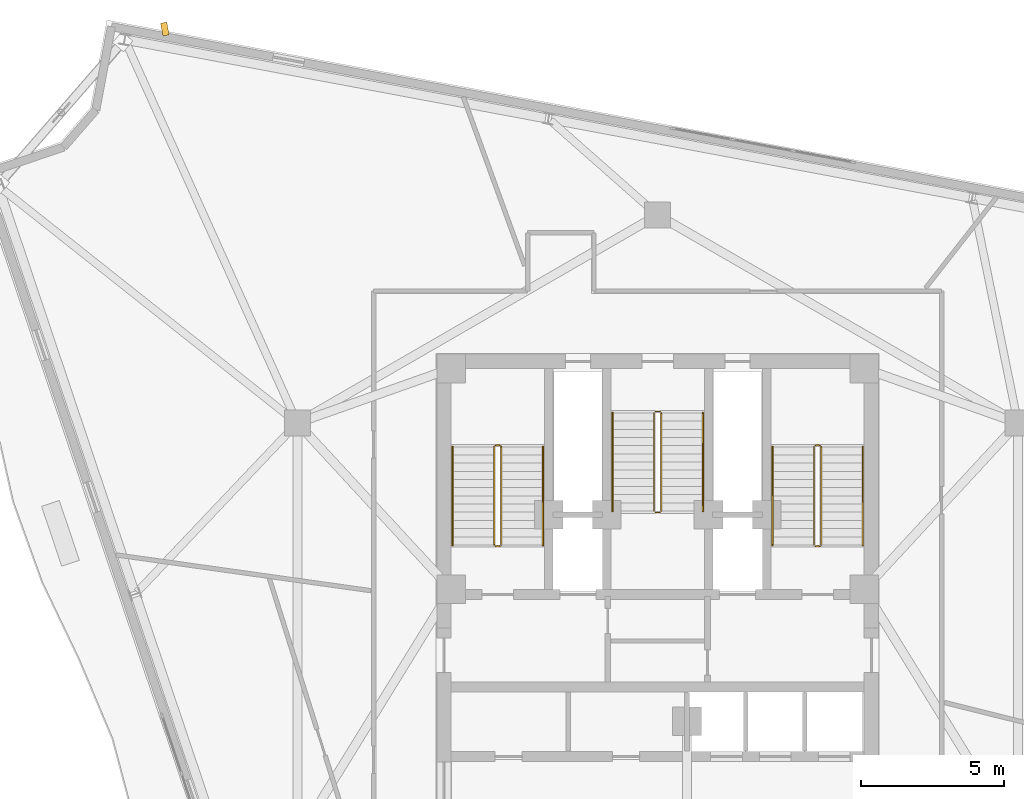
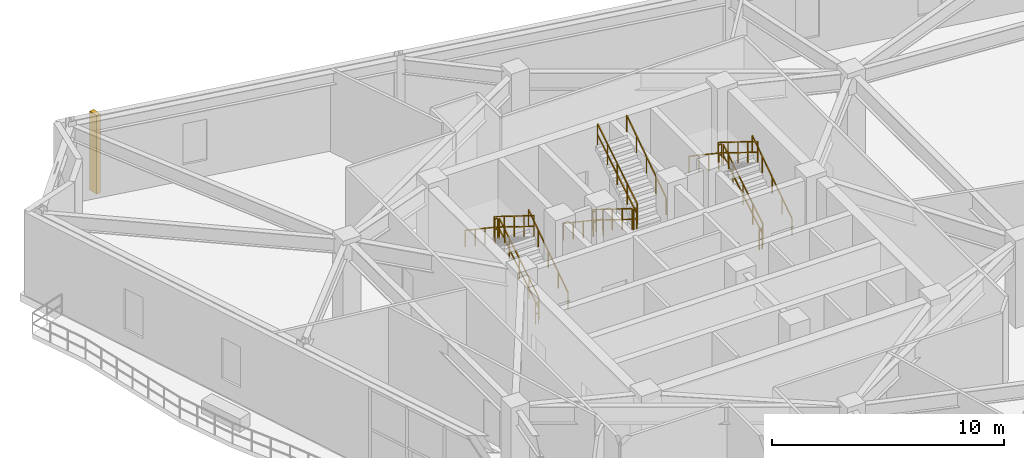
# One storey, part 14 of 15: 18 railings, 1 shading device.
"""IFC4 building model written with IfcOpenShell, lengths in metres."""

from ifc_helpers import new_model, si_unit, direction, frame, origin, origin_2d, place, context, subcontext, project, spatial, rectangle, extrude, material, type_object, element, save


model = new_model("IFC4")

# Units and contexts
model_context = context("Model", 3, precision=1e-05, world=origin(), true_north=direction((0.0, 1.0)))
body_context = subcontext(model_context, "Body", "Model", "MODEL_VIEW")
ifc_project = project(units=[si_unit("LENGTHUNIT", "METRE"), si_unit("AREAUNIT", "SQUARE_METRE"), si_unit("VOLUMEUNIT", "CUBIC_METRE"), si_unit("PLANEANGLEUNIT", "RADIAN"), si_unit("MASSUNIT", "GRAM", prefix="KILO")], contexts=[model_context])

# Site, building, storey
site_placement = place(None, origin())
site = spatial("IfcSite", under=ifc_project, at=site_placement, CompositionType="ELEMENT")
building_placement = place(site_placement, origin())
building = spatial("IfcBuilding", under=site, at=building_placement, Name="Apsidion Concourse Tower", CompositionType="ELEMENT")
storey_placement = place(building_placement, frame((0.0, 0.0, 260.89990234375)))
storey = spatial("IfcBuildingStorey", under=building, at=storey_placement, Name="L61", CompositionType="ELEMENT", Elevation=260.89990234375)

# Railings
ifc_material_1 = material(Name="Brushed stainless steel 316", Category="steel")
railing_type_1 = type_object("IfcRailingType", Name="RL-GUARD-1100", PredefinedType="GUARDRAIL", material=ifc_material_1)
railing_1_placement = place(storey_placement, frame((-5.449951171875, 3.0, 0.177001953125)))
element("IfcRailing", 1, at=railing_1_placement, inside=storey, type_object=railing_type_1, Name="L61 ST1 stair guard 1", PredefinedType="GUARDRAIL", context=body_context, shape_type="SweptSolid", body=[
    extrude(rectangle(XDim=0.048095703125, YDim=0.048095703125, at=origin_2d()), frame((0.0, 0.0, 1.09619140625), z_axis=(0.0, 0.849602680019, 0.527423251388), x_axis=(-1.0, 0.0, 0.0)), (0.0, 0.0, 1.0), 4.025390625),
    extrude(rectangle(XDim=0.048095703125, YDim=0.048095703125, at=origin_2d()), frame((0.0, 0.0, 0.5361328125), z_axis=(0.0, 0.849602680019, 0.527423251388), x_axis=(-1.0, 0.0, 0.0)), (0.0, 0.0, 1.0), 4.025390625),
    extrude(rectangle(XDim=0.0419921875, YDim=0.0419921875, at=origin_2d()), origin(), (0.0, 0.0, 1.0), 1.072021484375),
    extrude(rectangle(XDim=0.0419921875, YDim=0.0419921875, at=origin_2d()), frame((0.0, 0.85498046875, 0.53076171875)), (0.0, 0.0, 1.0), 1.072021484375),
    extrude(rectangle(XDim=0.0419921875, YDim=0.0419921875, at=origin_2d()), frame((0.0, 1.7099609375, 1.0615234375)), (0.0, 0.0, 1.0), 1.072021484375),
    extrude(rectangle(XDim=0.0419921875, YDim=0.0419921875, at=origin_2d()), frame((0.0, 2.56494140625, 1.59228515625)), (0.0, 0.0, 1.0), 1.072021484375),
    extrude(rectangle(XDim=0.0419921875, YDim=0.0419921875, at=origin_2d()), frame((0.0, 3.419921875, 2.123046875)), (0.0, 0.0, 1.0), 1.072021484375),
])
railing_2_placement = place(storey_placement, frame((-5.5, 6.469970703125, 2.300048828125)))
element("IfcRailing", 2, at=railing_2_placement, inside=storey, type_object=railing_type_1, Name="L61 ST1 stair guard 2", PredefinedType="GUARDRAIL", context=body_context, shape_type="SweptSolid", body=[
    extrude(rectangle(XDim=0.048095703125, YDim=0.048095703125, at=origin_2d()), frame((0.0, 0.0, 1.09619140625), z_axis=(-1.0, 0.0, 0.0), x_axis=(0.0, -1.0, 0.0)), (0.0, 0.0, 1.0), 0.14990234375),
    extrude(rectangle(XDim=0.048095703125, YDim=0.048095703125, at=origin_2d()), frame((0.0, 0.0, 0.5361328125), z_axis=(-1.0, 0.0, 0.0), x_axis=(0.0, -1.0, 0.0)), (0.0, 0.0, 1.0), 0.14990234375),
    extrude(rectangle(XDim=0.0419921875, YDim=0.0419921875, at=origin_2d()), origin(), (0.0, 0.0, 1.0), 1.072021484375),
    extrude(rectangle(XDim=0.0419921875, YDim=0.0419921875, at=origin_2d()), frame((-0.14990234375, 0.0, 0.0)), (0.0, 0.0, 1.0), 1.072021484375),
])
railing_3_placement = place(storey_placement, frame((-5.699951171875, 6.419921875, 2.47705078125)))
element("IfcRailing", 3, at=railing_3_placement, inside=storey, type_object=railing_type_1, Name="L61 ST1 stair guard 3", PredefinedType="GUARDRAIL", context=body_context, shape_type="SweptSolid", body=[
    extrude(rectangle(XDim=0.048095703125, YDim=0.048095703125, at=origin_2d()), frame((0.0, 0.0, 1.09619140625), z_axis=(0.0, -0.849602680019, 0.527423251388), x_axis=(1.0, 0.0, 0.0)), (0.0, 0.0, 1.0), 4.025390625),
    extrude(rectangle(XDim=0.048095703125, YDim=0.048095703125, at=origin_2d()), frame((0.0, 0.0, 0.5361328125), z_axis=(0.0, -0.849602680019, 0.527423251388), x_axis=(1.0, 0.0, 0.0)), (0.0, 0.0, 1.0), 4.025390625),
    extrude(rectangle(XDim=0.0419921875, YDim=0.0419921875, at=origin_2d()), origin(), (0.0, 0.0, 1.0), 1.072021484375),
    extrude(rectangle(XDim=0.0419921875, YDim=0.0419921875, at=origin_2d()), frame((0.0, -0.85498046875, 0.53076171875)), (0.0, 0.0, 1.0), 1.072021484375),
    extrude(rectangle(XDim=0.0419921875, YDim=0.0419921875, at=origin_2d()), frame((0.0, -1.7099609375, 1.0615234375)), (0.0, 0.0, 1.0), 1.072021484375),
    extrude(rectangle(XDim=0.0419921875, YDim=0.0419921875, at=origin_2d()), frame((0.0, -2.56494140625, 1.59228515625)), (0.0, 0.0, 1.0), 1.072021484375),
    extrude(rectangle(XDim=0.0419921875, YDim=0.0419921875, at=origin_2d()), frame((0.0, -3.419921875, 2.123046875)), (0.0, 0.0, 1.0), 1.072021484375),
])
railing_4_placement = place(storey_placement, frame((-5.5, 2.949951171875, 0.0)))
element("IfcRailing", 4, at=railing_4_placement, inside=storey, type_object=railing_type_1, Name="L61 ST1 stair guard 4", PredefinedType="GUARDRAIL", context=body_context, shape_type="SweptSolid", body=[
    extrude(rectangle(XDim=0.048095703125, YDim=0.048095703125, at=origin_2d()), frame((0.0, 0.0, 1.09619140625), z_axis=(-1.0, 0.0, 0.0), x_axis=(0.0, -1.0, 0.0)), (0.0, 0.0, 1.0), 0.14990234375),
    extrude(rectangle(XDim=0.048095703125, YDim=0.048095703125, at=origin_2d()), frame((0.0, 0.0, 0.5361328125), z_axis=(-1.0, 0.0, 0.0), x_axis=(0.0, -1.0, 0.0)), (0.0, 0.0, 1.0), 0.14990234375),
    extrude(rectangle(XDim=0.0419921875, YDim=0.0419921875, at=origin_2d()), origin(), (0.0, 0.0, 1.0), 1.072021484375),
    extrude(rectangle(XDim=0.0419921875, YDim=0.0419921875, at=origin_2d()), frame((-0.14990234375, 0.0, 0.0)), (0.0, 0.0, 1.0), 1.072021484375),
])
railing_5_placement = place(storey_placement, frame((5.699951171875, 3.0, 0.177001953125)))
element("IfcRailing", 5, at=railing_5_placement, inside=storey, type_object=railing_type_1, Name="L61 ST2 stair guard 1", PredefinedType="GUARDRAIL", context=body_context, shape_type="SweptSolid", body=[
    extrude(rectangle(XDim=0.048095703125, YDim=0.048095703125, at=origin_2d()), frame((0.0, 0.0, 1.09619140625), z_axis=(0.0, 0.849602680019, 0.527423251388), x_axis=(-1.0, 0.0, 0.0)), (0.0, 0.0, 1.0), 4.025390625),
    extrude(rectangle(XDim=0.048095703125, YDim=0.048095703125, at=origin_2d()), frame((0.0, 0.0, 0.5361328125), z_axis=(0.0, 0.849602680019, 0.527423251388), x_axis=(-1.0, 0.0, 0.0)), (0.0, 0.0, 1.0), 4.025390625),
    extrude(rectangle(XDim=0.0419921875, YDim=0.0419921875, at=origin_2d()), origin(), (0.0, 0.0, 1.0), 1.072021484375),
    extrude(rectangle(XDim=0.0419921875, YDim=0.0419921875, at=origin_2d()), frame((0.0, 0.85498046875, 0.53076171875)), (0.0, 0.0, 1.0), 1.072021484375),
    extrude(rectangle(XDim=0.0419921875, YDim=0.0419921875, at=origin_2d()), frame((0.0, 1.7099609375, 1.0615234375)), (0.0, 0.0, 1.0), 1.072021484375),
    extrude(rectangle(XDim=0.0419921875, YDim=0.0419921875, at=origin_2d()), frame((0.0, 2.56494140625, 1.59228515625)), (0.0, 0.0, 1.0), 1.072021484375),
    extrude(rectangle(XDim=0.0419921875, YDim=0.0419921875, at=origin_2d()), frame((0.0, 3.419921875, 2.123046875)), (0.0, 0.0, 1.0), 1.072021484375),
])
railing_6_placement = place(storey_placement, frame((5.64990234375, 6.469970703125, 2.300048828125)))
element("IfcRailing", 6, at=railing_6_placement, inside=storey, type_object=railing_type_1, Name="L61 ST2 stair guard 2", PredefinedType="GUARDRAIL", context=body_context, shape_type="SweptSolid", body=[
    extrude(rectangle(XDim=0.048095703125, YDim=0.048095703125, at=origin_2d()), frame((0.0, 0.0, 1.09619140625), z_axis=(-1.0, 0.0, 0.0), x_axis=(0.0, -1.0, 0.0)), (0.0, 0.0, 1.0), 0.14990234375),
    extrude(rectangle(XDim=0.048095703125, YDim=0.048095703125, at=origin_2d()), frame((0.0, 0.0, 0.5361328125), z_axis=(-1.0, 0.0, 0.0), x_axis=(0.0, -1.0, 0.0)), (0.0, 0.0, 1.0), 0.14990234375),
    extrude(rectangle(XDim=0.0419921875, YDim=0.0419921875, at=origin_2d()), origin(), (0.0, 0.0, 1.0), 1.072021484375),
    extrude(rectangle(XDim=0.0419921875, YDim=0.0419921875, at=origin_2d()), frame((-0.14990234375, 0.0, 0.0)), (0.0, 0.0, 1.0), 1.072021484375),
])
railing_7_placement = place(storey_placement, frame((5.449951171875, 6.419921875, 2.47705078125)))
element("IfcRailing", 7, at=railing_7_placement, inside=storey, type_object=railing_type_1, Name="L61 ST2 stair guard 3", PredefinedType="GUARDRAIL", context=body_context, shape_type="SweptSolid", body=[
    extrude(rectangle(XDim=0.048095703125, YDim=0.048095703125, at=origin_2d()), frame((0.0, 0.0, 1.09619140625), z_axis=(0.0, -0.849602680019, 0.527423251388), x_axis=(1.0, 0.0, 0.0)), (0.0, 0.0, 1.0), 4.025390625),
    extrude(rectangle(XDim=0.048095703125, YDim=0.048095703125, at=origin_2d()), frame((0.0, 0.0, 0.5361328125), z_axis=(0.0, -0.849602680019, 0.527423251388), x_axis=(1.0, 0.0, 0.0)), (0.0, 0.0, 1.0), 4.025390625),
    extrude(rectangle(XDim=0.0419921875, YDim=0.0419921875, at=origin_2d()), origin(), (0.0, 0.0, 1.0), 1.072021484375),
    extrude(rectangle(XDim=0.0419921875, YDim=0.0419921875, at=origin_2d()), frame((0.0, -0.85498046875, 0.53076171875)), (0.0, 0.0, 1.0), 1.072021484375),
    extrude(rectangle(XDim=0.0419921875, YDim=0.0419921875, at=origin_2d()), frame((0.0, -1.7099609375, 1.0615234375)), (0.0, 0.0, 1.0), 1.072021484375),
    extrude(rectangle(XDim=0.0419921875, YDim=0.0419921875, at=origin_2d()), frame((0.0, -2.56494140625, 1.59228515625)), (0.0, 0.0, 1.0), 1.072021484375),
    extrude(rectangle(XDim=0.0419921875, YDim=0.0419921875, at=origin_2d()), frame((0.0, -3.419921875, 2.123046875)), (0.0, 0.0, 1.0), 1.072021484375),
])
railing_8_placement = place(storey_placement, frame((5.64990234375, 2.949951171875, 0.0)))
element("IfcRailing", 8, at=railing_8_placement, inside=storey, type_object=railing_type_1, Name="L61 ST2 stair guard 4", PredefinedType="GUARDRAIL", context=body_context, shape_type="SweptSolid", body=[
    extrude(rectangle(XDim=0.048095703125, YDim=0.048095703125, at=origin_2d()), frame((0.0, 0.0, 1.09619140625), z_axis=(-1.0, 0.0, 0.0), x_axis=(0.0, -1.0, 0.0)), (0.0, 0.0, 1.0), 0.14990234375),
    extrude(rectangle(XDim=0.048095703125, YDim=0.048095703125, at=origin_2d()), frame((0.0, 0.0, 0.5361328125), z_axis=(-1.0, 0.0, 0.0), x_axis=(0.0, -1.0, 0.0)), (0.0, 0.0, 1.0), 0.14990234375),
    extrude(rectangle(XDim=0.0419921875, YDim=0.0419921875, at=origin_2d()), origin(), (0.0, 0.0, 1.0), 1.072021484375),
    extrude(rectangle(XDim=0.0419921875, YDim=0.0419921875, at=origin_2d()), frame((-0.14990234375, 0.0, 0.0)), (0.0, 0.0, 1.0), 1.072021484375),
])
railing_9_placement = place(storey_placement, frame((-0.125, 7.60009765625, 0.177001953125)))
element("IfcRailing", 9, at=railing_9_placement, inside=storey, type_object=railing_type_1, Name="L61 ST3 stair guard 1", PredefinedType="GUARDRAIL", context=body_context, shape_type="SweptSolid", body=[
    extrude(rectangle(XDim=0.048095703125, YDim=0.048095703125, at=origin_2d()), frame((0.0, 0.0, 1.09619140625), z_axis=(0.0, -0.849619550393, 0.527396074682), x_axis=(1.0, 0.0, 0.0)), (0.0, 0.0, 1.0), 4.025634765625),
    extrude(rectangle(XDim=0.048095703125, YDim=0.048095703125, at=origin_2d()), frame((0.0, 0.0, 0.5361328125), z_axis=(0.0, -0.849619550393, 0.527396074682), x_axis=(1.0, 0.0, 0.0)), (0.0, 0.0, 1.0), 4.025634765625),
    extrude(rectangle(XDim=0.0419921875, YDim=0.0419921875, at=origin_2d()), origin(), (0.0, 0.0, 1.0), 1.072021484375),
    extrude(rectangle(XDim=0.0419921875, YDim=0.0419921875, at=origin_2d()), frame((0.0, -0.85498046875, 0.53076171875)), (0.0, 0.0, 1.0), 1.072021484375),
    extrude(rectangle(XDim=0.0419921875, YDim=0.0419921875, at=origin_2d()), frame((0.0, -1.7099609375, 1.0615234375)), (0.0, 0.0, 1.0), 1.072021484375),
    extrude(rectangle(XDim=0.0419921875, YDim=0.0419921875, at=origin_2d()), frame((0.0, -2.565185546875, 1.59228515625)), (0.0, 0.0, 1.0), 1.072021484375),
    extrude(rectangle(XDim=0.0419921875, YDim=0.0419921875, at=origin_2d()), frame((0.0, -3.420166015625, 2.123046875)), (0.0, 0.0, 1.0), 1.072021484375),
])
railing_10_placement = place(storey_placement, frame((-0.074951171875, 4.1298828125, 2.300048828125)))
element("IfcRailing", 10, at=railing_10_placement, inside=storey, type_object=railing_type_1, Name="L61 ST3 stair guard 2", PredefinedType="GUARDRAIL", context=body_context, shape_type="SweptSolid", body=[
    extrude(rectangle(XDim=0.048095703125, YDim=0.048095703125, at=origin_2d()), frame((0.0, 0.0, 1.09619140625), z_axis=(1.0, 0.0, 0.0), x_axis=(0.0, 1.0, 0.0)), (0.0, 0.0, 1.0), 0.14990234375),
    extrude(rectangle(XDim=0.048095703125, YDim=0.048095703125, at=origin_2d()), frame((0.0, 0.0, 0.5361328125), z_axis=(1.0, 0.0, 0.0), x_axis=(0.0, 1.0, 0.0)), (0.0, 0.0, 1.0), 0.14990234375),
    extrude(rectangle(XDim=0.0419921875, YDim=0.0419921875, at=origin_2d()), origin(), (0.0, 0.0, 1.0), 1.072021484375),
    extrude(rectangle(XDim=0.0419921875, YDim=0.0419921875, at=origin_2d()), frame((0.14990234375, 0.0, 0.0)), (0.0, 0.0, 1.0), 1.072021484375),
])
railing_11_placement = place(storey_placement, frame((0.125, 4.179931640625, 2.47705078125)))
element("IfcRailing", 11, at=railing_11_placement, inside=storey, type_object=railing_type_1, Name="L61 ST3 stair guard 3", PredefinedType="GUARDRAIL", context=body_context, shape_type="SweptSolid", body=[
    extrude(rectangle(XDim=0.048095703125, YDim=0.048095703125, at=origin_2d()), frame((0.0, 0.0, 1.09619140625), z_axis=(0.0, 0.849619550393, 0.527396074682), x_axis=(-1.0, 0.0, 0.0)), (0.0, 0.0, 1.0), 4.025634765625),
    extrude(rectangle(XDim=0.048095703125, YDim=0.048095703125, at=origin_2d()), frame((0.0, 0.0, 0.5361328125), z_axis=(0.0, 0.849619550393, 0.527396074682), x_axis=(-1.0, 0.0, 0.0)), (0.0, 0.0, 1.0), 4.025634765625),
    extrude(rectangle(XDim=0.0419921875, YDim=0.0419921875, at=origin_2d()), origin(), (0.0, 0.0, 1.0), 1.072021484375),
    extrude(rectangle(XDim=0.0419921875, YDim=0.0419921875, at=origin_2d()), frame((0.0, 0.85498046875, 0.53076171875)), (0.0, 0.0, 1.0), 1.072021484375),
    extrude(rectangle(XDim=0.0419921875, YDim=0.0419921875, at=origin_2d()), frame((0.0, 1.7099609375, 1.0615234375)), (0.0, 0.0, 1.0), 1.072021484375),
    extrude(rectangle(XDim=0.0419921875, YDim=0.0419921875, at=origin_2d()), frame((0.0, 2.565185546875, 1.59228515625)), (0.0, 0.0, 1.0), 1.072021484375),
    extrude(rectangle(XDim=0.0419921875, YDim=0.0419921875, at=origin_2d()), frame((0.0, 3.420166015625, 2.123046875)), (0.0, 0.0, 1.0), 1.072021484375),
])
railing_12_placement = place(storey_placement, frame((-0.074951171875, 7.64990234375, 0.0)))
element("IfcRailing", 12, at=railing_12_placement, inside=storey, type_object=railing_type_1, Name="L61 ST3 stair guard 4", PredefinedType="GUARDRAIL", context=body_context, shape_type="SweptSolid", body=[
    extrude(rectangle(XDim=0.048095703125, YDim=0.048095703125, at=origin_2d()), frame((0.0, 0.0, 1.09619140625), z_axis=(1.0, 0.0, 0.0), x_axis=(0.0, 1.0, 0.0)), (0.0, 0.0, 1.0), 0.14990234375),
    extrude(rectangle(XDim=0.048095703125, YDim=0.048095703125, at=origin_2d()), frame((0.0, 0.0, 0.5361328125), z_axis=(1.0, 0.0, 0.0), x_axis=(0.0, 1.0, 0.0)), (0.0, 0.0, 1.0), 0.14990234375),
    extrude(rectangle(XDim=0.0419921875, YDim=0.0419921875, at=origin_2d()), origin(), (0.0, 0.0, 1.0), 1.072021484375),
    extrude(rectangle(XDim=0.0419921875, YDim=0.0419921875, at=origin_2d()), frame((0.14990234375, 0.0, 0.0)), (0.0, 0.0, 1.0), 1.072021484375),
])
railing_type_2 = type_object("IfcRailingType", Name="RL-HAND-900", PredefinedType="HANDRAIL", material=ifc_material_1)
railing_13_placement = place(storey_placement, frame((-4.0, 3.0, 0.177001953125)))
element("IfcRailing", 13, at=railing_13_placement, inside=storey, type_object=railing_type_2, Name="L61 ST1 stair handrail 1", PredefinedType="HANDRAIL", context=body_context, shape_type="SweptSolid", body=[
    extrude(rectangle(XDim=0.048095703125, YDim=0.048095703125, at=origin_2d()), frame((0.0, 0.0, 0.8759765625), z_axis=(0.0, 0.8297924358, 0.55807214004), x_axis=(-1.0, 0.0, 0.0)), (0.0, 0.0, 1.0), 4.121337890625),
    extrude(rectangle(XDim=0.0419921875, YDim=0.0419921875, at=origin_2d()), origin(), (0.0, 0.0, 1.0), 0.851806640625),
    extrude(rectangle(XDim=0.0419921875, YDim=0.0419921875, at=origin_2d()), frame((0.0, 0.85498046875, 0.574951171875)), (0.0, 0.0, 1.0), 0.851806640625),
    extrude(rectangle(XDim=0.0419921875, YDim=0.0419921875, at=origin_2d()), frame((0.0, 1.7099609375, 1.14990234375)), (0.0, 0.0, 1.0), 0.851806640625),
    extrude(rectangle(XDim=0.0419921875, YDim=0.0419921875, at=origin_2d()), frame((0.0, 2.56494140625, 1.72509765625)), (0.0, 0.0, 1.0), 0.851806640625),
    extrude(rectangle(XDim=0.0419921875, YDim=0.0419921875, at=origin_2d()), frame((0.0, 3.419921875, 2.300048828125)), (0.0, 0.0, 1.0), 0.851806640625),
])
railing_14_placement = place(storey_placement, frame((-7.14990234375, 6.419921875, 2.47705078125)))
element("IfcRailing", 14, at=railing_14_placement, inside=storey, type_object=railing_type_2, Name="L61 ST1 stair handrail 2", PredefinedType="HANDRAIL", context=body_context, shape_type="SweptSolid", body=[
    extrude(rectangle(XDim=0.048095703125, YDim=0.048095703125, at=origin_2d()), frame((0.0, 0.0, 0.8759765625), z_axis=(0.0, -0.8297924358, 0.55807214004), x_axis=(1.0, 0.0, 0.0)), (0.0, 0.0, 1.0), 4.121337890625),
    extrude(rectangle(XDim=0.0419921875, YDim=0.0419921875, at=origin_2d()), origin(), (0.0, 0.0, 1.0), 0.851806640625),
    extrude(rectangle(XDim=0.0419921875, YDim=0.0419921875, at=origin_2d()), frame((0.0, -0.85498046875, 0.574951171875)), (0.0, 0.0, 1.0), 0.851806640625),
    extrude(rectangle(XDim=0.0419921875, YDim=0.0419921875, at=origin_2d()), frame((0.0, -1.7099609375, 1.14990234375)), (0.0, 0.0, 1.0), 0.851806640625),
    extrude(rectangle(XDim=0.0419921875, YDim=0.0419921875, at=origin_2d()), frame((0.0, -2.56494140625, 1.72509765625)), (0.0, 0.0, 1.0), 0.851806640625),
    extrude(rectangle(XDim=0.0419921875, YDim=0.0419921875, at=origin_2d()), frame((0.0, -3.419921875, 2.300048828125)), (0.0, 0.0, 1.0), 0.851806640625),
])
railing_15_placement = place(storey_placement, frame((7.14990234375, 3.0, 0.177001953125)))
element("IfcRailing", 15, at=railing_15_placement, inside=storey, type_object=railing_type_2, Name="L61 ST2 stair handrail 1", PredefinedType="HANDRAIL", context=body_context, shape_type="SweptSolid", body=[
    extrude(rectangle(XDim=0.048095703125, YDim=0.048095703125, at=origin_2d()), frame((0.0, 0.0, 0.8759765625), z_axis=(0.0, 0.8297924358, 0.55807214004), x_axis=(-1.0, 0.0, 0.0)), (0.0, 0.0, 1.0), 4.121337890625),
    extrude(rectangle(XDim=0.0419921875, YDim=0.0419921875, at=origin_2d()), origin(), (0.0, 0.0, 1.0), 0.851806640625),
    extrude(rectangle(XDim=0.0419921875, YDim=0.0419921875, at=origin_2d()), frame((0.0, 0.85498046875, 0.574951171875)), (0.0, 0.0, 1.0), 0.851806640625),
    extrude(rectangle(XDim=0.0419921875, YDim=0.0419921875, at=origin_2d()), frame((0.0, 1.7099609375, 1.14990234375)), (0.0, 0.0, 1.0), 0.851806640625),
    extrude(rectangle(XDim=0.0419921875, YDim=0.0419921875, at=origin_2d()), frame((0.0, 2.56494140625, 1.72509765625)), (0.0, 0.0, 1.0), 0.851806640625),
    extrude(rectangle(XDim=0.0419921875, YDim=0.0419921875, at=origin_2d()), frame((0.0, 3.419921875, 2.300048828125)), (0.0, 0.0, 1.0), 0.851806640625),
])
railing_16_placement = place(storey_placement, frame((4.0, 6.419921875, 2.47705078125)))
element("IfcRailing", 16, at=railing_16_placement, inside=storey, type_object=railing_type_2, Name="L61 ST2 stair handrail 2", PredefinedType="HANDRAIL", context=body_context, shape_type="SweptSolid", body=[
    extrude(rectangle(XDim=0.048095703125, YDim=0.048095703125, at=origin_2d()), frame((0.0, 0.0, 0.8759765625), z_axis=(0.0, -0.8297924358, 0.55807214004), x_axis=(1.0, 0.0, 0.0)), (0.0, 0.0, 1.0), 4.121337890625),
    extrude(rectangle(XDim=0.0419921875, YDim=0.0419921875, at=origin_2d()), origin(), (0.0, 0.0, 1.0), 0.851806640625),
    extrude(rectangle(XDim=0.0419921875, YDim=0.0419921875, at=origin_2d()), frame((0.0, -0.85498046875, 0.574951171875)), (0.0, 0.0, 1.0), 0.851806640625),
    extrude(rectangle(XDim=0.0419921875, YDim=0.0419921875, at=origin_2d()), frame((0.0, -1.7099609375, 1.14990234375)), (0.0, 0.0, 1.0), 0.851806640625),
    extrude(rectangle(XDim=0.0419921875, YDim=0.0419921875, at=origin_2d()), frame((0.0, -2.56494140625, 1.72509765625)), (0.0, 0.0, 1.0), 0.851806640625),
    extrude(rectangle(XDim=0.0419921875, YDim=0.0419921875, at=origin_2d()), frame((0.0, -3.419921875, 2.300048828125)), (0.0, 0.0, 1.0), 0.851806640625),
])
railing_17_placement = place(storey_placement, frame((-1.574951171875, 7.60009765625, 0.177001953125)))
element("IfcRailing", 17, at=railing_17_placement, inside=storey, type_object=railing_type_2, Name="L61 ST3 stair handrail 1", PredefinedType="HANDRAIL", context=body_context, shape_type="SweptSolid", body=[
    extrude(rectangle(XDim=0.048095703125, YDim=0.048095703125, at=origin_2d()), frame((0.0, 0.0, 0.8759765625), z_axis=(0.0, -0.829810883491, 0.558044709356), x_axis=(1.0, 0.0, 0.0)), (0.0, 0.0, 1.0), 4.12158203125),
    extrude(rectangle(XDim=0.0419921875, YDim=0.0419921875, at=origin_2d()), origin(), (0.0, 0.0, 1.0), 0.851806640625),
    extrude(rectangle(XDim=0.0419921875, YDim=0.0419921875, at=origin_2d()), frame((0.0, -0.85498046875, 0.574951171875)), (0.0, 0.0, 1.0), 0.851806640625),
    extrude(rectangle(XDim=0.0419921875, YDim=0.0419921875, at=origin_2d()), frame((0.0, -1.7099609375, 1.14990234375)), (0.0, 0.0, 1.0), 0.851806640625),
    extrude(rectangle(XDim=0.0419921875, YDim=0.0419921875, at=origin_2d()), frame((0.0, -2.565185546875, 1.72509765625)), (0.0, 0.0, 1.0), 0.851806640625),
    extrude(rectangle(XDim=0.0419921875, YDim=0.0419921875, at=origin_2d()), frame((0.0, -3.420166015625, 2.300048828125)), (0.0, 0.0, 1.0), 0.851806640625),
])
railing_18_placement = place(storey_placement, frame((1.574951171875, 4.179931640625, 2.47705078125)))
element("IfcRailing", 18, at=railing_18_placement, inside=storey, type_object=railing_type_2, Name="L61 ST3 stair handrail 2", PredefinedType="HANDRAIL", context=body_context, shape_type="SweptSolid", body=[
    extrude(rectangle(XDim=0.048095703125, YDim=0.048095703125, at=origin_2d()), frame((0.0, 0.0, 0.8759765625), z_axis=(0.0, 0.829810883491, 0.558044709356), x_axis=(-1.0, 0.0, 0.0)), (0.0, 0.0, 1.0), 4.12158203125),
    extrude(rectangle(XDim=0.0419921875, YDim=0.0419921875, at=origin_2d()), origin(), (0.0, 0.0, 1.0), 0.851806640625),
    extrude(rectangle(XDim=0.0419921875, YDim=0.0419921875, at=origin_2d()), frame((0.0, 0.85498046875, 0.574951171875)), (0.0, 0.0, 1.0), 0.851806640625),
    extrude(rectangle(XDim=0.0419921875, YDim=0.0419921875, at=origin_2d()), frame((0.0, 1.7099609375, 1.14990234375)), (0.0, 0.0, 1.0), 0.851806640625),
    extrude(rectangle(XDim=0.0419921875, YDim=0.0419921875, at=origin_2d()), frame((0.0, 2.565185546875, 1.72509765625)), (0.0, 0.0, 1.0), 0.851806640625),
    extrude(rectangle(XDim=0.0419921875, YDim=0.0419921875, at=origin_2d()), frame((0.0, 3.420166015625, 2.300048828125)), (0.0, 0.0, 1.0), 0.851806640625),
])

# Shading device
ifc_material_2 = material(Name="Anodised aluminium EN AW-6063 T6", Category="aluminium")
shading_device_type = type_object("IfcShadingDeviceType", Name="SH-FIN-STONE", PredefinedType="USERDEFINED", material=ifc_material_2)
shading_device_placement = place(storey_placement, frame((-17.1787109375, 20.982421875, 0.10009765625), z_axis=(0.0, 0.0, 1.0), x_axis=(0.98293534915, 0.183951350613, 0.0)))
element("IfcShadingDevice", 19, at=shading_device_placement, inside=storey, type_object=shading_device_type, Name="L61 Facade Vertical Solar Fin 1", ObjectType="FIN", PredefinedType="USERDEFINED", context=body_context, shape_type="SweptSolid", body=[
    extrude(rectangle(XDim=0.219970703125, YDim=0.449951171875, at=origin_2d()), origin(), (0.0, 0.0, 1.0), 4.14990234375),
])

save(model, "model.ifc")
